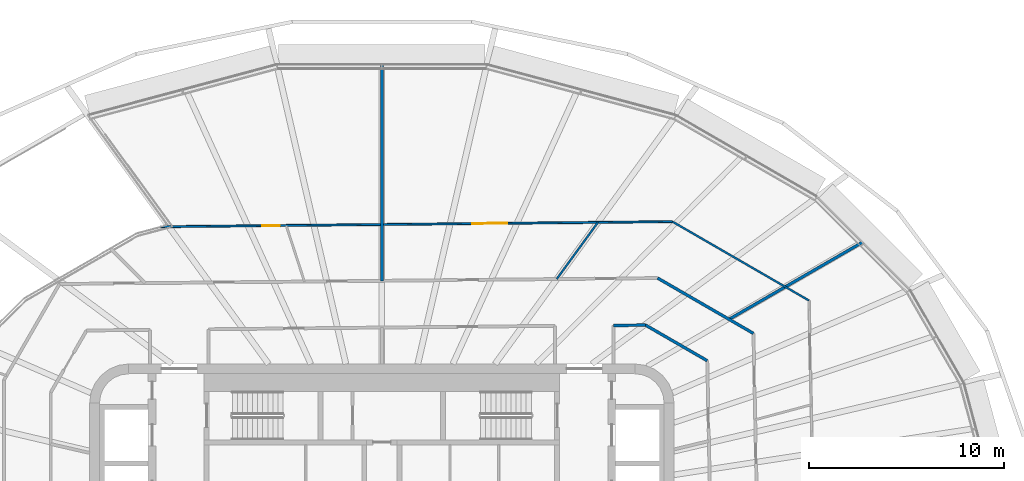
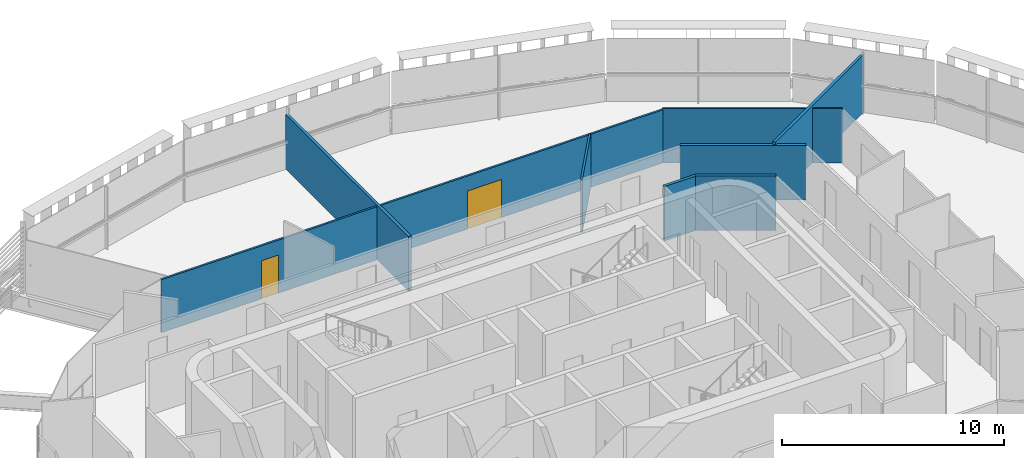
# One storey, part 15 of 23: 8 walls, 2 doors, 2 openings.
"""IFC4 building model written with IfcOpenShell, lengths in metres."""

from ifc_helpers import new_model, si_unit, direction, frame, frame_2d, origin, place, context, subcontext, project, spatial, rectangle, extrude, material, layer, layer_set, type_object, element, fill, save


model = new_model("IFC4")

# Units and contexts
model_context = context("Model", 3, precision=1e-05, world=origin(), true_north=direction((0.0, 1.0)))
body_context = subcontext(model_context, "Body", "Model", "MODEL_VIEW")
ifc_project = project(units=[si_unit("LENGTHUNIT", "METRE"), si_unit("AREAUNIT", "SQUARE_METRE"), si_unit("VOLUMEUNIT", "CUBIC_METRE"), si_unit("PLANEANGLEUNIT", "RADIAN"), si_unit("MASSUNIT", "GRAM", prefix="KILO")], contexts=[model_context])

# Site, building, storey
site_placement = place(None, origin())
site = spatial("IfcSite", under=ifc_project, at=site_placement, CompositionType="ELEMENT")
building_placement = place(site_placement, origin())
building = spatial("IfcBuilding", under=site, at=building_placement, Name="Sahrelin Media Tower", CompositionType="ELEMENT")
storey_placement = place(building_placement, frame((0.0, 0.0, 173.60009765625)))
storey = spatial("IfcBuildingStorey", under=building, at=storey_placement, Name="L36", CompositionType="ELEMENT", Elevation=173.60009765625)

# Walls
ifc_material_1 = material(Name="Fire-rated gypsum board partition")
ifc_layer_1 = layer(ifc_material_1, 0.14990234375)
ifc_layer_set_1 = layer_set([ifc_layer_1], Name="Fire-rated partition 150")
wall_type_1 = type_object("IfcWallType", Name="Fire-rated partition 150", PredefinedType="PARTITIONING", material=ifc_layer_set_1)
wall_1_placement = place(storey_placement, frame((13.527099609375, 10.0048828125, 0.0), z_axis=(0.0, 0.0, 1.0), x_axis=(0.865976376876, -0.500084907484, 0.0)))
element("IfcWall", 1, at=wall_1_placement, inside=storey, type_object=wall_type_1, Name="Wall", PredefinedType="PARTITIONING", context=body_context, shape_type="SweptSolid", body=[
    extrude(rectangle(XDim=3.673095703125, YDim=0.14990234375, at=frame_2d((1.83642578125, 0.0))), origin(), (0.0, 0.0, 1.0), 2.994873046875),
])
wall_2_placement = place(storey_placement, frame((14.158935546875, 12.412109375, 0.0), z_axis=(0.0, 0.0, 1.0), x_axis=(0.865963066672, -0.500107955506, 0.0)))
element("IfcWall", 2, at=wall_2_placement, inside=storey, type_object=wall_type_1, Name="Wall", PredefinedType="PARTITIONING", context=body_context, shape_type="SweptSolid", body=[
    extrude(rectangle(XDim=5.682861328125, YDim=0.14990234375, at=frame_2d((2.84130859375, 0.0))), origin(), (0.0, 0.0, 1.0), 2.994873046875),
])
wall_3_placement = place(storey_placement, frame((11.89990234375, 9.979736328125, 0.0), z_axis=(0.0, 0.0, 1.0), x_axis=(0.999950974094, 0.009901990141, 0.0)))
element("IfcWall", 3, at=wall_3_placement, inside=storey, type_object=wall_type_1, Name="Wall", PredefinedType="PARTITIONING", context=body_context, shape_type="SweptSolid", body=[
    extrude(rectangle(XDim=1.627197265625, YDim=0.14990234375, at=frame_2d((0.8134765625, 0.0))), origin(), (0.0, 0.0, 1.0), 2.994873046875),
])
wall_4_placement = place(storey_placement, frame((17.827880859375, 10.29296875, 0.0), z_axis=(0.0, 0.0, 1.0), x_axis=(0.866006511702, 0.500032720618, 0.0)))
element("IfcWall", 4, at=wall_4_placement, inside=storey, type_object=wall_type_1, Name="Wall", PredefinedType="PARTITIONING", context=body_context, shape_type="SweptSolid", body=[
    extrude(rectangle(XDim=7.923828125, YDim=0.14990234375, at=frame_2d((3.9619140625, 0.0))), origin(), (0.0, 0.0, 1.0), 3.15185546875),
])
wall_5_placement = place(storey_placement, frame((0.0, 12.27099609375, 0.0), z_axis=(0.0, 0.0, 1.0), x_axis=(0.0, 1.0, 0.0)))
element("IfcWall", 5, at=wall_5_placement, inside=storey, type_object=wall_type_1, Name="Wall", PredefinedType="PARTITIONING", context=body_context, shape_type="SweptSolid", body=[
    extrude(rectangle(XDim=11.10498046875, YDim=0.14990234375, at=frame_2d((5.552490234375, 0.0))), origin(), (0.0, 0.0, 1.0), 2.994873046875),
])
ifc_material_2 = material(Name="Gypsum board partition")
ifc_layer_2 = layer(ifc_material_2, 0.10009765625)
ifc_layer_set_2 = layer_set([ifc_layer_2], Name="Partition 100")
wall_type_2 = type_object("IfcWallType", Name="Partition 100", PredefinedType="PARTITIONING", material=ifc_layer_set_2)
wall_6_placement = place(storey_placement, frame((14.919921875, 15.31005859375, 0.0), z_axis=(0.0, 0.0, 1.0), x_axis=(0.865883926938, -0.500244965063, 0.0)))
element("IfcWall", 6, at=wall_6_placement, inside=storey, type_object=wall_type_2, Name="Wall", PredefinedType="PARTITIONING", context=body_context, shape_type="SweptSolid", body=[
    extrude(rectangle(XDim=8.10205078125, YDim=0.10009765625, at=frame_2d((4.051025390625, 0.0))), origin(), (0.0, 0.0, 1.0), 2.994873046875),
])

# Wall, openings, doors
wall_7_placement = place(storey_placement, frame((-11.360107421875, 15.048095703125, 0.0), z_axis=(0.0, 0.0, 1.0), x_axis=(0.999950506848, 0.00994906304, 0.0)))
wall_7 = element("IfcWall", 7, at=wall_7_placement, inside=storey, type_object=wall_type_2, Name="Wall", PredefinedType="PARTITIONING", context=body_context, shape_type="SweptSolid", body=[
    extrude(rectangle(XDim=26.28125, YDim=0.10009765625, at=frame_2d((13.140625, 0.0))), origin(), (0.0, 0.0, 1.0), 2.927001953125),
])
opening_1_placement = place(wall_7_placement, frame((16.009521484375, 0.0, 0.0)))
opening_1 = element("IfcOpeningElement", 8, at=opening_1_placement, cuts=wall_7, Name="Opening L36-D49", PredefinedType="OPENING", context=body_context, shape_type="SweptSolid", body=[
    extrude(rectangle(XDim=1.800048828125, YDim=2.10009765625, at=frame_2d((0.89990234375, 1.050048828125))), frame((0.0, 0.050048828125, 0.0), z_axis=(0.0, -1.0, 0.0), x_axis=(1.0, 0.0, 0.0)), (0.0, 0.0, 1.0), 0.10009765625),
])
opening_2_placement = place(wall_7_placement, frame((5.22998046875, 0.0, 0.0)))
opening_2 = element("IfcOpeningElement", 9, at=opening_2_placement, cuts=wall_7, Name="Opening L36-D52", PredefinedType="OPENING", context=body_context, shape_type="SweptSolid", body=[
    extrude(rectangle(XDim=0.89990234375, YDim=2.10009765625, at=frame_2d((0.449951171875, 1.050048828125))), frame((0.0, 0.050048828125, 0.0), z_axis=(0.0, -1.0, 0.0), x_axis=(1.0, 0.0, 0.0)), (0.0, 0.0, 1.0), 0.10009765625),
])
ifc_material_3 = material(Name="Timber door leaf", Category="wood")
door_type_1 = type_object("IfcDoorType", Name="Double door 1800 x 2100", OperationType="DOUBLE_DOOR_SINGLE_SWING", PredefinedType="DOOR", material=ifc_material_3)
door_1_placement = place(opening_1_placement, origin())
door_1 = element("IfcDoor", 10, at=door_1_placement, inside=storey, type_object=door_type_1, Name="Double door", OperationType="DOUBLE_DOOR_SINGLE_SWING", OverallHeight=2.10009765625, OverallWidth=1.800048828125, PredefinedType="DOOR", context=body_context, shape_type="SweptSolid", body=[
    extrude(rectangle(XDim=1.800048828125, YDim=2.10009765625, at=frame_2d((0.89990234375, 1.050048828125))), frame((0.0, 0.02490234375, 0.0), z_axis=(0.0, -1.0, 0.0), x_axis=(1.0, 0.0, 0.0)), (0.0, 0.0, 1.0), 0.050048828125),
])
fill(opening_1, door_1)
door_type_2 = type_object("IfcDoorType", Name="Single door 900 x 2100", OperationType="NOTDEFINED", PredefinedType="DOOR", material=ifc_material_3)
door_2_placement = place(opening_2_placement, origin())
door_2 = element("IfcDoor", 11, at=door_2_placement, inside=storey, type_object=door_type_2, Name="Single door", OperationType="SINGLE_SWING_RIGHT", OverallHeight=2.10009765625, OverallWidth=0.89990234375, PredefinedType="DOOR", context=body_context, shape_type="SweptSolid", body=[
    extrude(rectangle(XDim=0.89990234375, YDim=2.10009765625, at=frame_2d((0.449951171875, 1.050048828125))), frame((0.0, 0.02490234375, 0.0), z_axis=(0.0, -1.0, 0.0), x_axis=(1.0, 0.0, 0.0)), (0.0, 0.0, 1.0), 0.050048828125),
])
fill(opening_2, door_2)

# Wall
wall_8_placement = place(storey_placement, frame((8.97998046875, 12.361083984375, 0.0), z_axis=(0.0, 0.0, 1.0), x_axis=(0.587982092085, 0.808873945301, 0.0)))
element("IfcWall", 12, at=wall_8_placement, inside=storey, type_object=wall_type_2, Name="Wall", PredefinedType="PARTITIONING", context=body_context, shape_type="SweptSolid", body=[
    extrude(rectangle(XDim=3.5986328125, YDim=0.10009765625, at=frame_2d((1.79931640625, 0.0))), origin(), (0.0, 0.0, 1.0), 2.927001953125),
])

save(model, "model.ifc")
